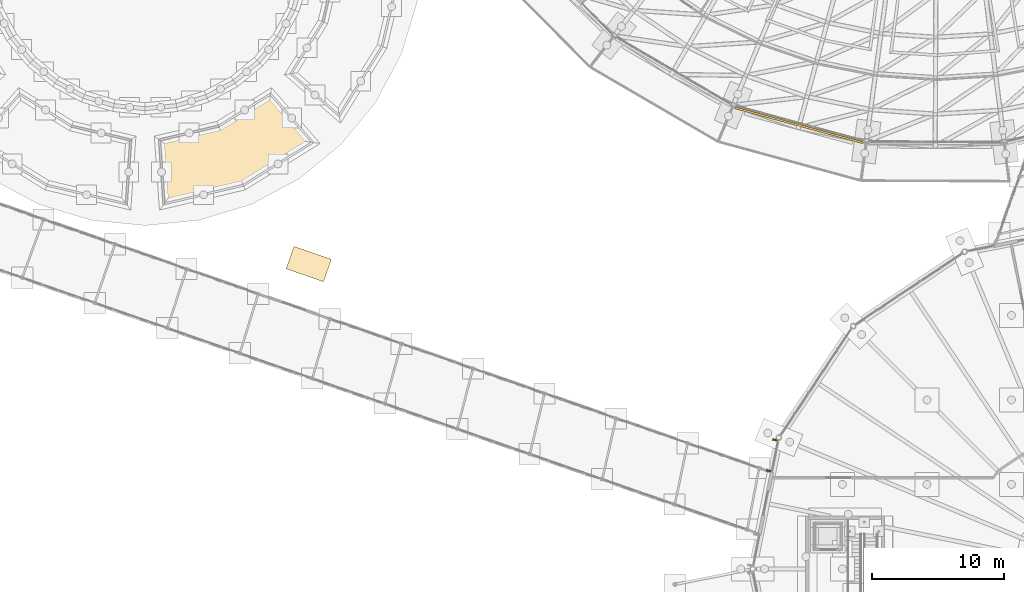
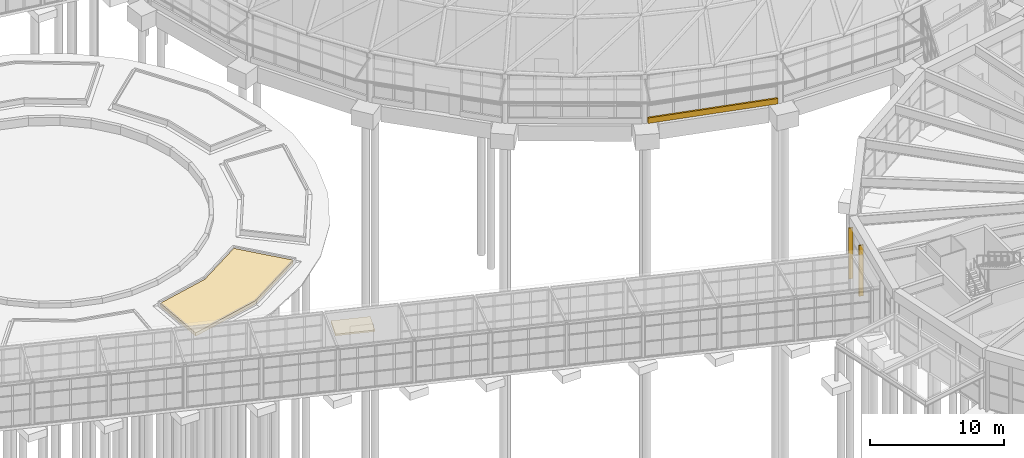
# One storey, part 213 of 226: 5 coverings.
"""IFC4 building model written with IfcOpenShell, lengths in metres."""

from ifc_helpers import new_model, si_unit, direction, frame, origin, origin_2d, place, context, subcontext, project, spatial, polyline, rectangle, outline, extrude, material, layer, layer_set, type_object, element, save


model = new_model("IFC4")

# Units and contexts
model_context = context("Model", 3, precision=1e-05, world=origin(), true_north=direction((0.0, 1.0)))
body_context = subcontext(model_context, "Body", "Model", "MODEL_VIEW")
ifc_project = project(units=[si_unit("LENGTHUNIT", "METRE"), si_unit("AREAUNIT", "SQUARE_METRE"), si_unit("VOLUMEUNIT", "CUBIC_METRE"), si_unit("PLANEANGLEUNIT", "RADIAN"), si_unit("MASSUNIT", "GRAM", prefix="KILO")], contexts=[model_context])

# Site, building, storey
site_placement = place(None, origin())
site = spatial("IfcSite", under=ifc_project, at=site_placement, CompositionType="ELEMENT")
building_placement = place(site_placement, origin())
building = spatial("IfcBuilding", under=site, at=building_placement, Name="Ceibo Conservatory and Research Tower", CompositionType="ELEMENT")
storey_placement = place(building_placement, origin())
storey = spatial("IfcBuildingStorey", under=building, at=storey_placement, Name="L00", CompositionType="ELEMENT", Elevation=0.0)

# Coverings
ifc_material_1 = material(Name="Ceramic")
ifc_layer_1 = layer(ifc_material_1, 0.10009765625)
ifc_layer_set_1 = layer_set([ifc_layer_1], Name="Ceramic")
covering_type_1 = type_object("IfcCoveringType", Name="Ceramic fin 100 x 350", PredefinedType="CLADDING", material=ifc_layer_set_1)
for number, where, z_axis, x_axis, name in (
    (1, (143.68359375, 45.770751953125, 0.0), (0.0, 0.0, 1.0), (0.195090065247, 0.980785331478, 0.0), "Ceramic fin 8.5"),
    (2, (143.218017578125, 43.4306640625, 0.0), (0.0, 0.0, 1.0), (0.195090065247, 0.980785331478, 0.0), "Ceramic fin 8.6"),
):
    element("IfcCovering", number, at=place(storey_placement, frame(where, z_axis=z_axis, x_axis=x_axis)), inside=storey, type_object=covering_type_1, Name=name, PredefinedType="CLADDING", context=body_context, shape_type="SweptSolid", body=[
        extrude(rectangle(XDim=0.10009765625, YDim=0.35009765625, at=origin_2d()), origin(), (0.0, 0.0, 1.0), 4.64892578125),
    ])
ifc_material_2 = material(Name="Concrete C35/45", Category="concrete")
ifc_layer_2 = layer(ifc_material_2, 0.14990234375)
ifc_layer_set_2 = layer_set([ifc_layer_2], Name="Concrete C35/45")
covering_type_2 = type_object("IfcCoveringType", Name="Concrete plinth facing 150", PredefinedType="CLADDING", material=ifc_layer_set_2)
covering_1_placement = place(storey_placement, origin())
element("IfcCovering", 3, at=covering_1_placement, inside=storey, type_object=covering_type_2, Name="Drum plinth facing A-PL21", PredefinedType="CLADDING", context=body_context, shape_type="SweptSolid", body=[
    extrude(outline(polyline([(140.70654296875, 70.981201171875), (150.388916015625, 68.341552734375), (150.349365234375, 68.197021484375), (140.6669921875, 70.836669921875), (140.70654296875, 70.981201171875)])), origin(), (0.0, 0.0, 1.0), 0.5),
])
ifc_material_3 = material(Name="Granite paving", Category="masonry")
ifc_layer_3 = layer(ifc_material_3, 0.14990234375)
ifc_layer_set_3 = layer_set([ifc_layer_3], Name="Granite paving")
covering_type_3 = type_object("IfcCoveringType", Name="Gallery exit paving 150", PredefinedType="USERDEFINED", material=ifc_layer_set_3)
covering_2_placement = place(storey_placement, frame((0.0, 0.0, -0.14990234375)))
element("IfcCovering", 4, at=covering_2_placement, inside=storey, type_object=covering_type_3, Name="Gallery exit paving AUD-VC", ObjectType="PAVING", PredefinedType="USERDEFINED", context=body_context, shape_type="SweptSolid", body=[
    extrude(outline(polyline([(106.677734375, 58.7294921875), (109.511474609375, 57.74462890625), (110.1025390625, 59.44482421875), (107.268798828125, 60.4296875), (106.677734375, 58.7294921875)])), origin(), (0.0, 0.0, 1.0), 0.14990234375),
])
ifc_material_4 = material(Name="Planting soil")
ifc_layer_4 = layer(ifc_material_4, 0.300048828125)
ifc_layer_set_4 = layer_set([ifc_layer_4], Name="Planting soil")
covering_type_4 = type_object("IfcCoveringType", Name="Planting bed soil 300", PredefinedType="FLOORING", material=ifc_layer_set_4)
covering_3_placement = place(storey_placement, origin())
element("IfcCovering", 5, at=covering_3_placement, inside=storey, type_object=covering_type_4, Name="Ceibo Court planting bed PB7", PredefinedType="FLOORING", context=body_context, shape_type="SweptSolid", body=[
    extrude(outline(polyline([(97.169921875, 68.41845703125), (97.49755859375, 63.73388671875), (103.404052734375, 65.124755859375), (108.564208984375, 68.31787109375), (105.4833984375, 71.862060546875), (101.607177734375, 69.46337890625), (97.169921875, 68.41845703125)])), origin(), (0.0, 0.0, 1.0), 0.300048828125),
])

save(model, "model.ifc")
